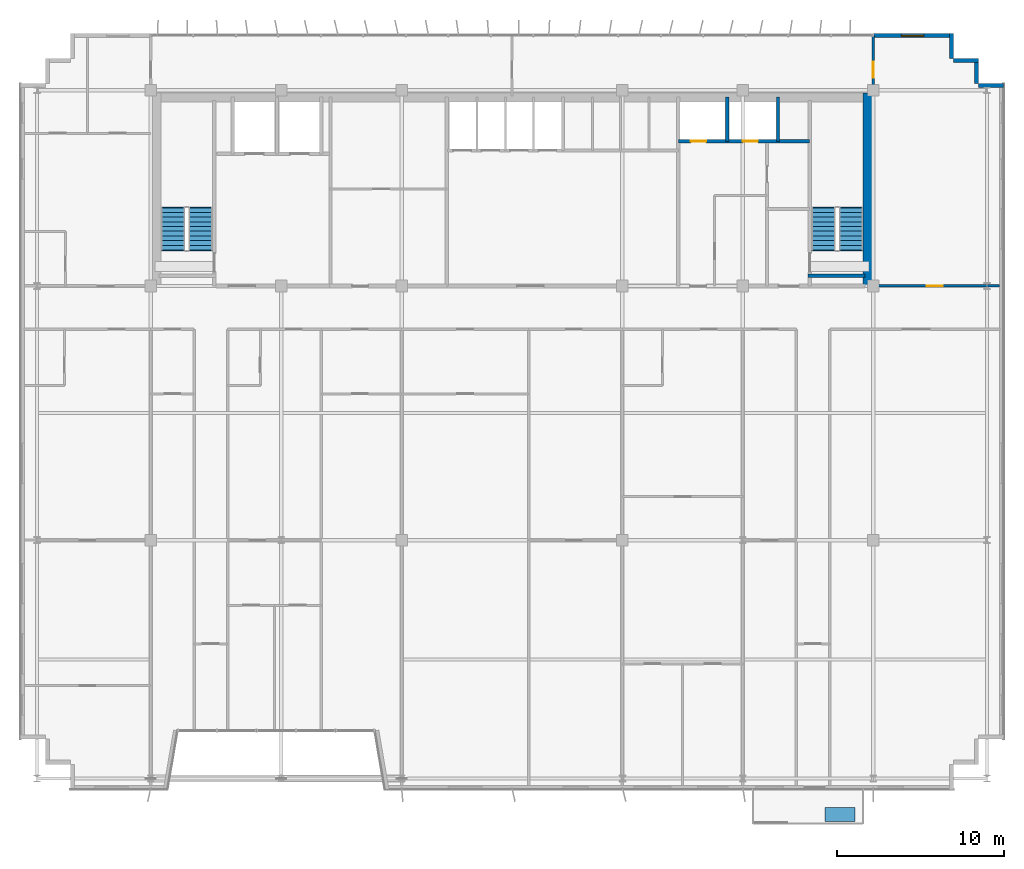
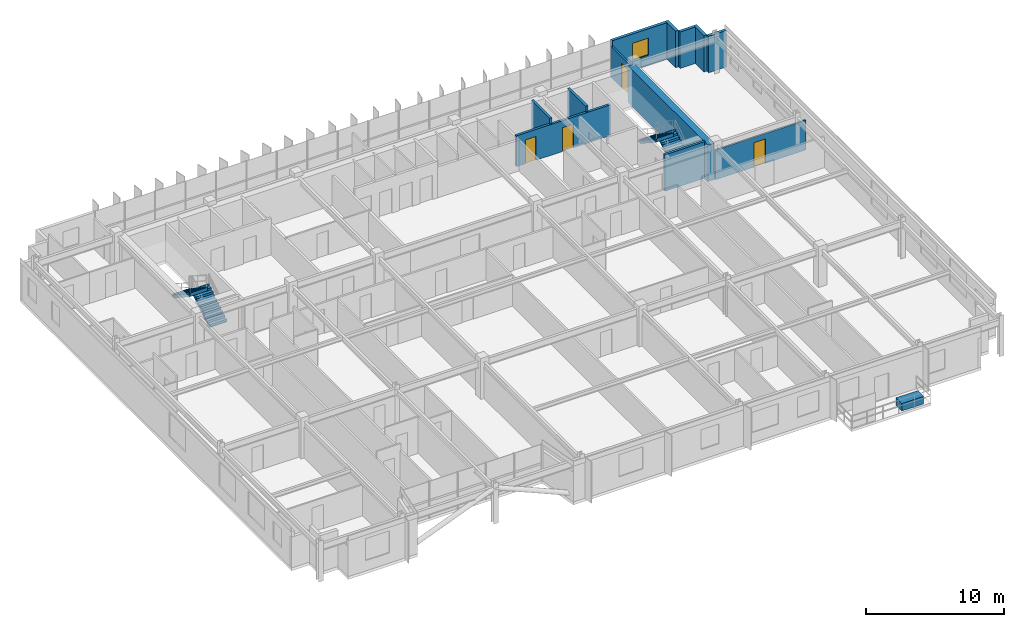
# One storey, part 22 of 24: 12 walls, 4 doors, 4 stair flights, 1 discrete accessory, 1 window, 5 openings, 2 elements without a shape of their own.
"""IFC4 building model written with IfcOpenShell, lengths in metres."""

from ifc_helpers import new_model, si_unit, direction, frame, frame_2d, origin, origin_2d, place, context, subcontext, project, spatial, polyline, rectangle, outline, extrude, source, transform, mapped, material, layer, layer_set, type_object, element, fill, aggregate, save


model = new_model("IFC4")

# Units and contexts
model_context = context("Model", 3, precision=1e-05, world=origin(), true_north=direction((0.0, 1.0)))
body_context = subcontext(model_context, "Body", "Model", "MODEL_VIEW")
ifc_project = project(units=[si_unit("LENGTHUNIT", "METRE"), si_unit("AREAUNIT", "SQUARE_METRE"), si_unit("VOLUMEUNIT", "CUBIC_METRE"), si_unit("PLANEANGLEUNIT", "RADIAN"), si_unit("MASSUNIT", "GRAM", prefix="KILO")], contexts=[model_context])

# Site, building, storey
site_placement = place(None, origin())
site = spatial("IfcSite", under=ifc_project, at=site_placement, CompositionType="ELEMENT")
building_placement = place(site_placement, origin())
building = spatial("IfcBuilding", under=site, at=building_placement, Name="Trelvane Seafront Commons", CompositionType="ELEMENT")
storey_placement = place(building_placement, frame((0.0, 0.0, 178.89990234375)))
storey = spatial("IfcBuildingStorey", under=building, at=storey_placement, Name="L47", CompositionType="ELEMENT", Elevation=178.89990234375)

# Wall, opening, window
ifc_material_1 = material(Name="Precast concrete C40/50", Category="concrete")
ifc_layer_1 = layer(ifc_material_1, 0.239990234375, Name="ARCH-WALL-EXT240")
ifc_layer_set_1 = layer_set([ifc_layer_1], Name="Precast concrete C40/50")
wall_type_1 = type_object("IfcWallType", Name="ARCH-WALL-EXT240", PredefinedType="SOLIDWALL", material=ifc_layer_set_1)
wall_1_placement = place(storey_placement, frame((58.800048828125, 48.3701171875, 0.0), z_axis=(0.0, 0.0, 1.0), x_axis=(1.0, 0.0, 0.0)))
wall_1 = element("IfcWall", 1, at=wall_1_placement, inside=storey, type_object=wall_type_1, Name="EW-L47-NE-0934", PredefinedType="SOLIDWALL", context=body_context, shape_type="SweptSolid", body=[
    extrude(rectangle(XDim=4.699951171875, YDim=0.239990234375, at=frame_2d((2.35009765625, 0.0))), origin(), (0.0, 0.0, 1.0), 3.22021484375),
])
opening_1_placement = place(wall_1_placement, frame((1.675048828125, 0.0, 0.89990234375)))
opening_1 = element("IfcOpeningElement", 2, at=opening_1_placement, cuts=wall_1, Name="Opening W09", PredefinedType="OPENING", context=body_context, shape_type="SweptSolid", body=[
    extrude(rectangle(XDim=1.35009765625, YDim=1.5, at=frame_2d((0.675048828125, 0.75))), frame((0.0, 0.1298828125, 0.0), z_axis=(0.0, -1.0, 0.0), x_axis=(1.0, 0.0, 0.0)), (0.0, 0.0, 1.0), 0.260009765625),
])
ifc_material_2 = material(Name="Low-E coastal double glazing", Category="glass")
window_type = type_object("IfcWindowType", Name="ARCH-WIN-W09", PartitioningType="SINGLE_PANEL", PredefinedType="WINDOW", material=ifc_material_2)
shared_shape_1 = source(origin(), body_context, "Body", "SweptSolid", [
    extrude(rectangle(XDim=1.35009765625, YDim=1.5, at=frame_2d((0.675048828125, 0.75))), frame((0.0, 0.030029296875, 0.0), z_axis=(0.0, -1.0, 0.0), x_axis=(1.0, 0.0, 0.0)), (0.0, 0.0, 1.0), 0.06005859375),
])
window_placement = place(opening_1_placement, origin())
window = element("IfcWindow", 3, at=window_placement, inside=storey, type_object=window_type, Name="WIN-L47-01113", OverallHeight=1.5, OverallWidth=1.35009765625, PartitioningType="SINGLE_PANEL", PredefinedType="WINDOW", context=body_context, shape_type="MappedRepresentation", body=[
    mapped(shared_shape_1, transform((0.0, 0.0, 0.0), x_axis=(1.0, 0.0, 0.0), y_axis=(0.0, 1.0, 0.0), z_axis=(0.0, 0.0, 1.0), scale=1.0)),
])
fill(opening_1, window)

# Walls
for number, where, z_axis, x_axis, name in (
    (4, (63.47998046875, 48.5, 0.0), (0.0, 0.0, 1.0), (0.0, -1.0, 0.0), "EW-L47-00943"),
    (5, (63.60009765625, 46.8798828125, 0.0), (0.0, 0.0, 1.0), (1.0, 0.0, 0.0), "EW-L47-00944"),
    (6, (64.97998046875, 47.0, 0.0), (0.0, 0.0, 1.0), (0.0, -1.0, 0.0), "EW-L47-00945"),
    (7, (65.10009765625, 45.3798828125, 0.0), (0.0, 0.0, 1.0), (1.0, 0.0, 0.0), "EW-L47-00946"),
):
    element("IfcWall", number, at=place(storey_placement, frame(where, z_axis=z_axis, x_axis=x_axis)), inside=storey, type_object=wall_type_1, Name=name, PredefinedType="SOLIDWALL", context=body_context, shape_type="SweptSolid", body=[
        extrude(rectangle(XDim=1.5, YDim=0.239990234375, at=frame_2d((0.75, 0.0))), origin(), (0.0, 0.0, 1.0), 3.22021484375),
    ])

# Wall, opening, door
ifc_material_3 = material(Name="Gypsum Drywall Acoustic Partition")
ifc_layer_2 = layer(ifc_material_3, 0.14990234375, Name="ARCH-WALL-PART150")
ifc_layer_set_2 = layer_set([ifc_layer_2], Name="Gypsum Drywall Acoustic Partition")
wall_type_2 = type_object("IfcWallType", Name="ARCH-WALL-PART150", PredefinedType="PARTITIONING", material=ifc_layer_set_2)
wall_2_placement = place(storey_placement, frame((58.800048828125, 33.39990234375, 0.0), z_axis=(0.0, 0.0, 1.0), x_axis=(1.0, 0.0, 0.0)))
wall_2 = element("IfcWall", 8, at=wall_2_placement, inside=storey, type_object=wall_type_2, Name="W-L47-NE-ENT-042", PredefinedType="PARTITIONING", context=body_context, shape_type="SweptSolid", body=[
    extrude(rectangle(XDim=7.550048828125, YDim=0.14990234375, at=frame_2d((3.77490234375, 0.0))), origin(), (0.0, 0.0, 1.0), 2.6201171875),
])
opening_2_placement = place(wall_2_placement, frame((3.199951171875, 0.0, 0.0)))
opening_2 = element("IfcOpeningElement", 9, at=opening_2_placement, cuts=wall_2, Name="Opening FD-L47-23", PredefinedType="OPENING", context=body_context, shape_type="SweptSolid", body=[
    extrude(rectangle(XDim=0.949951171875, YDim=2.14990234375, at=frame_2d((0.47509765625, 1.074951171875))), frame((0.0, 0.0849609375, 0.0), z_axis=(0.0, -1.0, 0.0), x_axis=(1.0, 0.0, 0.0)), (0.0, 0.0, 1.0), 0.169921875),
])
ifc_material_4 = material(Name="Powder-coated aluminium frame", Category="aluminium")
door_type_1 = type_object("IfcDoorType", Name="ARCH-DR-FD60-950", OperationType="NOTDEFINED", PredefinedType="DOOR", material=ifc_material_4)
shared_shape_2 = source(origin(), body_context, "Body", "SweptSolid", [
    extrude(rectangle(XDim=0.949951171875, YDim=2.14990234375, at=frame_2d((0.47509765625, 1.074951171875))), frame((0.0, 0.02490234375, 0.0), z_axis=(0.0, -1.0, 0.0), x_axis=(1.0, 0.0, 0.0)), (0.0, 0.0, 1.0), 0.050048828125),
])
door_1_placement = place(opening_2_placement, origin())
door_1 = element("IfcDoor", 10, at=door_1_placement, inside=storey, type_object=door_type_1, Name="L47 NE Suite Entrance Door", OperationType="SINGLE_SWING_LEFT", OverallHeight=2.14990234375, OverallWidth=0.949951171875, PredefinedType="DOOR", context=body_context, shape_type="MappedRepresentation", body=[
    mapped(shared_shape_2, transform((0.0, 0.0, 0.0), x_axis=(1.0, 0.0, 0.0), y_axis=(0.0, 1.0, 0.0), z_axis=(0.0, 0.0, 1.0), scale=1.0)),
])
fill(opening_2, door_1)

wall_3_placement = place(storey_placement, frame((58.800048828125, 44.75, 0.0), z_axis=(0.0, 0.0, 1.0), x_axis=(0.0, 1.0, 0.0)))
wall_3 = element("IfcWall", 11, at=wall_3_placement, inside=storey, type_object=wall_type_2, Name="W-L47-N-LINK-E-045", PredefinedType="PARTITIONING", context=body_context, shape_type="SweptSolid", body=[
    extrude(rectangle(XDim=3.610107421875, YDim=0.14990234375, at=frame_2d((1.80517578125, 0.0))), origin(), (0.0, 0.0, 1.0), 2.72021484375),
])
opening_3_placement = place(wall_3_placement, frame((1.10009765625, 0.0, 0.0)))
opening_3 = element("IfcOpeningElement", 12, at=opening_3_placement, cuts=wall_3, Name="Opening FD-L47-26", PredefinedType="OPENING", context=body_context, shape_type="SweptSolid", body=[
    extrude(rectangle(XDim=0.949951171875, YDim=2.14990234375, at=frame_2d((0.47509765625, 1.074951171875))), frame((0.0, 0.0849609375, 0.0), z_axis=(0.0, -1.0, 0.0), x_axis=(1.0, 0.0, 0.0)), (0.0, 0.0, 1.0), 0.169921875),
])
door_2_placement = place(opening_3_placement, origin())
door_2 = element("IfcDoor", 13, at=door_2_placement, inside=storey, type_object=door_type_1, Name="L47 Door 26", OperationType="SINGLE_SWING_RIGHT", OverallHeight=2.14990234375, OverallWidth=0.949951171875, PredefinedType="DOOR", context=body_context, shape_type="MappedRepresentation", body=[
    mapped(shared_shape_2, transform((0.0, 0.0, 0.0), x_axis=(1.0, 0.0, 0.0), y_axis=(0.0, 1.0, 0.0), z_axis=(0.0, 0.0, 1.0), scale=1.0)),
])
fill(opening_3, door_2)

# Wall, openings, doors
ifc_material_5 = material(Name="Concrete C40/50", Category="concrete")
ifc_layer_3 = layer(ifc_material_5, 0.199951171875, Name="ARCH-WALL-SHAFT200")
ifc_layer_set_3 = layer_set([ifc_layer_3], Name="Concrete C40/50")
wall_type_3 = type_object("IfcWallType", Name="ARCH-WALL-SHAFT200", PredefinedType="SOLIDWALL", material=ifc_layer_set_3)
wall_4_placement = place(storey_placement, frame((47.14990234375, 42.050048828125, 0.0), z_axis=(0.0, 0.0, 1.0), x_axis=(1.0, 0.0, 0.0)))
wall_4 = element("IfcWall", 14, at=wall_4_placement, inside=storey, type_object=wall_type_3, Name="W-L47-RSR-S-028", PredefinedType="SOLIDWALL", context=body_context, shape_type="SweptSolid", body=[
    extrude(rectangle(XDim=7.85009765625, YDim=0.199951171875, at=frame_2d((3.925048828125, 0.0))), origin(), (0.0, 0.0, 1.0), 2.72021484375),
])
opening_4_placement = place(wall_4_placement, frame((0.75, 0.0, 0.0)))
opening_4 = element("IfcOpeningElement", 15, at=opening_4_placement, cuts=wall_4, Name="Opening FD-L47-13", PredefinedType="OPENING", context=body_context, shape_type="SweptSolid", body=[
    extrude(rectangle(XDim=0.89990234375, YDim=2.10009765625, at=frame_2d((0.449951171875, 1.050048828125))), frame((0.0, 0.10986328125, 0.0), z_axis=(0.0, -1.0, 0.0), x_axis=(1.0, 0.0, 0.0)), (0.0, 0.0, 1.0), 0.219970703125),
])
opening_5_placement = place(wall_4_placement, frame((3.85009765625, 0.0, 0.0)))
opening_5 = element("IfcOpeningElement", 16, at=opening_5_placement, cuts=wall_4, Name="Opening FD-L47-14", PredefinedType="OPENING", context=body_context, shape_type="SweptSolid", body=[
    extrude(rectangle(XDim=0.89990234375, YDim=2.10009765625, at=frame_2d((0.449951171875, 1.050048828125))), frame((0.0, 0.10986328125, 0.0), z_axis=(0.0, -1.0, 0.0), x_axis=(1.0, 0.0, 0.0)), (0.0, 0.0, 1.0), 0.219970703125),
])
door_type_2 = type_object("IfcDoorType", Name="ARCH-DR-FD60-900", OperationType="NOTDEFINED", PredefinedType="DOOR", material=ifc_material_4)
shared_shape_3 = source(origin(), body_context, "Body", "SweptSolid", [
    extrude(rectangle(XDim=0.89990234375, YDim=2.10009765625, at=frame_2d((0.449951171875, 1.050048828125))), frame((0.0, 0.02490234375, 0.0), z_axis=(0.0, -1.0, 0.0), x_axis=(1.0, 0.0, 0.0)), (0.0, 0.0, 1.0), 0.050048828125),
])
door_3_placement = place(opening_4_placement, origin())
door_3 = element("IfcDoor", 17, at=door_3_placement, inside=storey, type_object=door_type_2, Name="L47 Electrical Riser Access Door", OperationType="SINGLE_SWING_LEFT", OverallHeight=2.10009765625, OverallWidth=0.89990234375, PredefinedType="DOOR", context=body_context, shape_type="MappedRepresentation", body=[
    mapped(shared_shape_3, transform((0.0, 0.0, 0.0), x_axis=(1.0, 0.0, 0.0), y_axis=(0.0, 1.0, 0.0), z_axis=(0.0, 0.0, 1.0), scale=1.0)),
])
fill(opening_4, door_3)
door_4_placement = place(opening_5_placement, origin())
door_4 = element("IfcDoor", 18, at=door_4_placement, inside=storey, type_object=door_type_2, Name="L47 Mechanical Riser Access Door", OperationType="SINGLE_SWING_RIGHT", OverallHeight=2.10009765625, OverallWidth=0.89990234375, PredefinedType="DOOR", context=body_context, shape_type="MappedRepresentation", body=[
    mapped(shared_shape_3, transform((0.0, 0.0, 0.0), x_axis=(1.0, 0.0, 0.0), y_axis=(0.0, 1.0, 0.0), z_axis=(0.0, 0.0, 1.0), scale=1.0)),
])
fill(opening_5, door_4)

# Walls
for number, where, z_axis, x_axis, name in (
    (19, (50.080078125, 42.050048828125, 0.0), (0.0, 0.0, 1.0), (0.0, 1.0, 0.0), "W-L47-RSR-DIV-029"),
    (20, (53.10009765625, 42.050048828125, 0.0), (0.0, 0.0, 1.0), (0.0, 1.0, 0.0), "W-L47-RSR-E-030"),
):
    element("IfcWall", number, at=place(storey_placement, frame(where, z_axis=z_axis, x_axis=x_axis)), inside=storey, type_object=wall_type_3, Name=name, PredefinedType="SOLIDWALL", context=body_context, shape_type="SweptSolid", body=[
        extrude(rectangle(XDim=2.64990234375, YDim=0.199951171875, at=frame_2d((1.324951171875, 0.0))), origin(), (0.0, 0.0, 1.0), 3.22021484375),
    ])
ifc_material_6 = material(Name="Concrete C50/60", Category="concrete")
ifc_layer_4 = layer(ifc_material_6, 0.550048828125, Name="STR-WALL-CORE550")
ifc_layer_set_4 = layer_set([ifc_layer_4], Name="Concrete C50/60")
wall_type_4 = type_object("IfcWallType", Name="STR-WALL-CORE550", PredefinedType="SHEAR", material=ifc_layer_set_4)
wall_5_placement = place(storey_placement, frame((58.47509765625, 33.39990234375, 0.0), z_axis=(0.0, 0.0, 1.0), x_axis=(0.0, 1.0, 0.0)))
element("IfcWall", 21, at=wall_5_placement, inside=storey, type_object=wall_type_4, Name="W-L47-CE-END-003", PredefinedType="SHEAR", context=body_context, shape_type="SweptSolid", body=[
    extrude(rectangle(XDim=11.550048828125, YDim=0.550048828125, at=frame_2d((5.77490234375, 0.0))), origin(), (0.0, 0.0, 1.0), 3.22021484375),
])
ifc_layer_5 = layer(ifc_material_6, 0.199951171875, Name="STR-WALL-STAIR200")
ifc_layer_set_5 = layer_set([ifc_layer_5], Name="Concrete C50/60")
wall_type_5 = type_object("IfcWallType", Name="STR-WALL-STAIR200", PredefinedType="SHEAR", material=ifc_layer_set_5)
wall_6_placement = place(storey_placement, frame((54.89990234375, 34.0, 0.0), z_axis=(0.0, 0.0, 1.0), x_axis=(1.0, 0.0, 0.0)))
element("IfcWall", 22, at=wall_6_placement, inside=storey, type_object=wall_type_5, Name="W-L47-ST2-S-006", PredefinedType="SHEAR", context=body_context, shape_type="SweptSolid", body=[
    extrude(rectangle(XDim=3.400146484375, YDim=0.199951171875, at=frame_2d((1.7001953125, 0.0))), origin(), (0.0, 0.0, 1.0), 3.22021484375),
])

# Stair, stair flights
stair_type_1 = type_object("IfcStairType", Name="ARCH-STR-ST-1-R20-180", PredefinedType="HALF_TURN_STAIR", material=ifc_material_5)
stair_1_placement = place(storey_placement, origin())
stair_1 = element("IfcStair", 23, at=stair_1_placement, inside=storey, type_object=stair_type_1, Name="L47 West Protected Firefighting Exit Stair ST-1", PredefinedType="HALF_TURN_STAIR")
stair_flight_type_1 = type_object("IfcStairFlightType", Name="ARCH-FLG-ST-1-R20-180", PredefinedType="STRAIGHT", material=ifc_material_5)
shared_shape_4 = source(origin(), body_context, "Body", "SweptSolid", [
    extrude(outline(polyline([(-0.050048828125, -0.02001953125), (-0.050048828125, 0.0), (0.0, 0.0), (0.0, 0.179931640625), (0.280029296875, 0.179931640625), (0.280029296875, 0.360107421875), (0.56005859375, 0.360107421875), (0.56005859375, 0.5400390625), (0.840087890625, 0.5400390625), (0.840087890625, 0.719970703125), (1.1201171875, 0.719970703125), (1.1201171875, 0.89990234375), (1.39990234375, 0.89990234375), (1.39990234375, 1.080078125), (1.679931640625, 1.080078125), (1.679931640625, 1.260009765625), (1.9599609375, 1.260009765625), (1.9599609375, 1.43994140625), (2.239990234375, 1.43994140625), (2.239990234375, 1.6201171875), (2.52001953125, 1.6201171875), (2.52001953125, 1.800048828125), (2.570068359375, 1.800048828125), (2.570068359375, 1.650146484375), (2.52001953125, 1.44189453125), (0.277099609375, -0.02001953125), (-0.050048828125, -0.02001953125)])), frame((0.0, 0.72509765625, 0.0), z_axis=(0.0, -1.0, 0.0), x_axis=(1.0, 0.0, 0.0)), (0.0, 0.0, 1.0), 1.449951171875),
])
stair_flight_1_placement = place(storey_placement, frame((18.574951171875, 35.550048828125, 0.0), z_axis=(0.0, 0.0, 1.0), x_axis=(0.0, 1.0, 0.0)))
stair_flight_1 = element("IfcStairFlight", 24, at=stair_flight_1_placement, type_object=stair_flight_type_1, Name="ST-1 flight 1", NumberOfRisers=10, NumberOfTreads=9, PredefinedType="STRAIGHT", RiserHeight=0.18, TreadLength=0.28, context=body_context, shape_type="MappedRepresentation", body=[
    mapped(shared_shape_4, transform((0.0, 0.0, 0.0), x_axis=(1.0, 0.0, 0.0), y_axis=(0.0, 1.0, 0.0), z_axis=(0.0, 0.0, 1.0), scale=1.0)),
])
stair_flight_2_placement = place(storey_placement, frame((16.925048828125, 38.070068359375, 1.800048828125), z_axis=(0.0, 0.0, 1.0), x_axis=(0.0, -1.0, 0.0)))
stair_flight_2 = element("IfcStairFlight", 25, at=stair_flight_2_placement, type_object=stair_flight_type_1, Name="ST-1 flight 2", NumberOfRisers=10, NumberOfTreads=9, PredefinedType="STRAIGHT", RiserHeight=0.18, TreadLength=0.28, context=body_context, shape_type="MappedRepresentation", body=[
    mapped(shared_shape_4, transform((0.0, 0.0, 0.0), x_axis=(1.0, 0.0, 0.0), y_axis=(0.0, 1.0, 0.0), z_axis=(0.0, 0.0, 1.0), scale=1.0)),
])
aggregate(stair_1, [stair_flight_1, stair_flight_2])

stair_type_2 = type_object("IfcStairType", Name="ARCH-STR-ST-2-R20-180", PredefinedType="HALF_TURN_STAIR", material=ifc_material_5)
stair_2_placement = place(storey_placement, origin())
stair_2 = element("IfcStair", 26, at=stair_2_placement, inside=storey, type_object=stair_type_2, Name="L47 East Protected Firefighting Exit Stair ST-2", PredefinedType="HALF_TURN_STAIR")
stair_flight_type_2 = type_object("IfcStairFlightType", Name="ARCH-FLG-ST-2-R20-180", PredefinedType="STRAIGHT", material=ifc_material_5)
stair_flight_3_placement = place(storey_placement, frame((57.47509765625, 35.550048828125, 0.0), z_axis=(0.0, 0.0, 1.0), x_axis=(0.0, 1.0, 0.0)))
stair_flight_3 = element("IfcStairFlight", 27, at=stair_flight_3_placement, type_object=stair_flight_type_2, Name="ST-2 flight 1", NumberOfRisers=10, NumberOfTreads=9, PredefinedType="STRAIGHT", RiserHeight=0.18, TreadLength=0.28, context=body_context, shape_type="MappedRepresentation", body=[
    mapped(shared_shape_4, transform((0.0, 0.0, 0.0), x_axis=(1.0, 0.0, 0.0), y_axis=(0.0, 1.0, 0.0), z_axis=(0.0, 0.0, 1.0), scale=1.0)),
])
stair_flight_4_placement = place(storey_placement, frame((55.824951171875, 38.070068359375, 1.800048828125), z_axis=(0.0, 0.0, 1.0), x_axis=(0.0, -1.0, 0.0)))
stair_flight_4 = element("IfcStairFlight", 28, at=stair_flight_4_placement, type_object=stair_flight_type_2, Name="ST-2 flight 2", NumberOfRisers=10, NumberOfTreads=9, PredefinedType="STRAIGHT", RiserHeight=0.18, TreadLength=0.28, context=body_context, shape_type="MappedRepresentation", body=[
    mapped(shared_shape_4, transform((0.0, 0.0, 0.0), x_axis=(1.0, 0.0, 0.0), y_axis=(0.0, 1.0, 0.0), z_axis=(0.0, 0.0, 1.0), scale=1.0)),
])
aggregate(stair_2, [stair_flight_3, stair_flight_4])

# Discrete accessory
discrete_accessory_type = type_object("IfcDiscreteAccessoryType", Name="ARCH-ACC-PLANTER", PredefinedType="USERDEFINED", material=ifc_material_1)
shared_shape_5 = source(origin(), body_context, "Body", "SweptSolid", [
    extrude(rectangle(XDim=1.800048828125, YDim=0.85009765625, at=origin_2d()), origin(), (0.0, 0.0, 1.0), 0.64990234375),
])
discrete_accessory_placement = place(storey_placement, frame((56.800048828125, 1.800048828125, 0.000244140625), z_axis=(0.0, 0.0, 1.0), x_axis=(1.0, 0.0, 0.0)))
element("IfcDiscreteAccessory", 29, at=discrete_accessory_placement, inside=storey, type_object=discrete_accessory_type, Name="PLN-L47-B0-052", ObjectType="BALCONY TREE PLANTER", PredefinedType="USERDEFINED", context=body_context, shape_type="MappedRepresentation", body=[
    mapped(shared_shape_5, transform((0.0, 0.0, 0.0), x_axis=(1.0, 0.0, 0.0), y_axis=(0.0, 1.0, 0.0), z_axis=(0.0, 0.0, 1.0), scale=1.0)),
])

save(model, "model.ifc")
